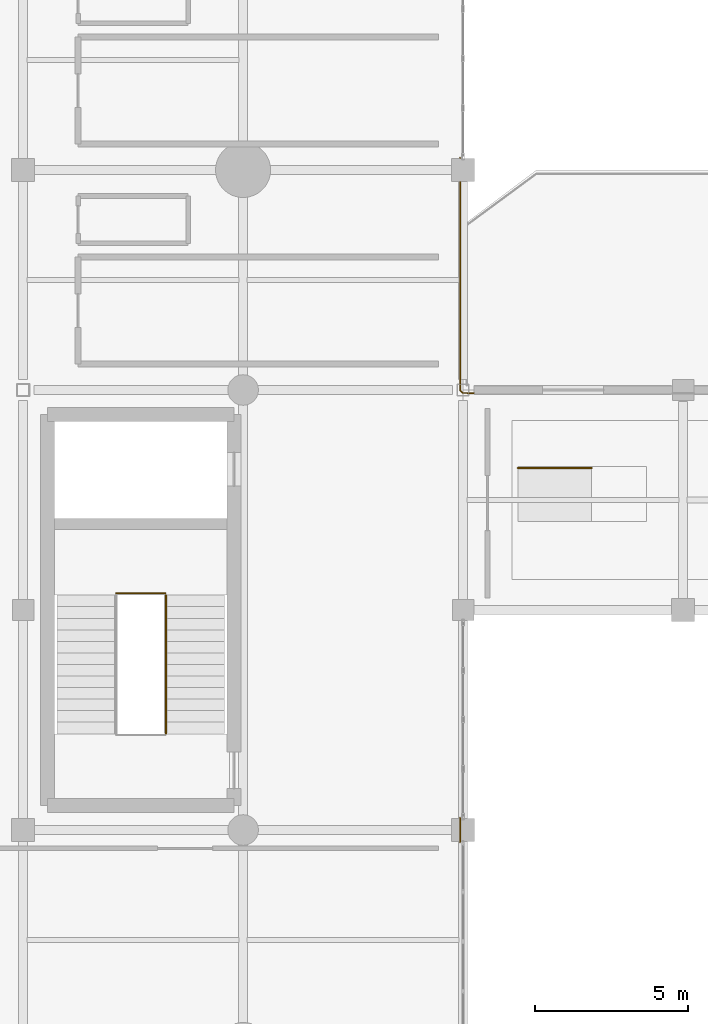
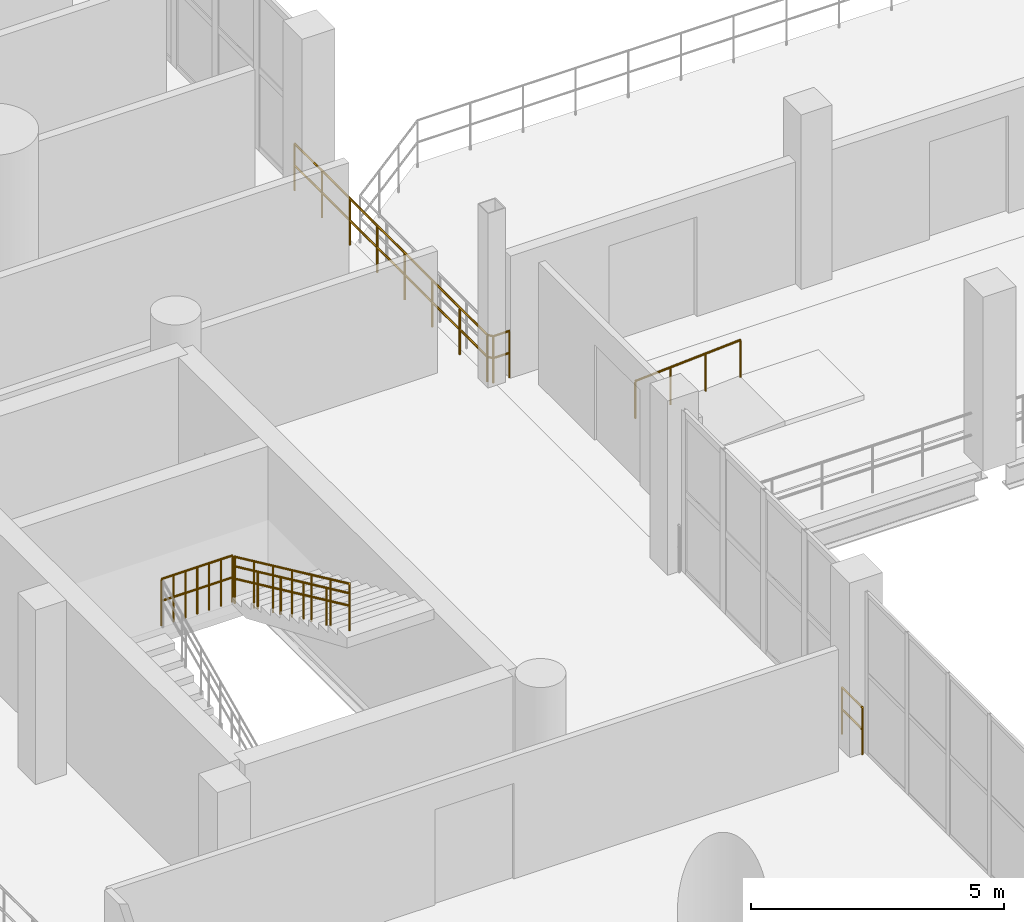
# One storey, part 121 of 130: 6 railings.
"""IFC4 building model written with IfcOpenShell, lengths in metres."""

from ifc_helpers import new_model, si_unit, direction, frame, origin, origin_2d, place, context, subcontext, project, spatial, circle, extrude, material, type_object, element, save


model = new_model("IFC4")

# Units and contexts
model_context = context("Model", 3, precision=1e-05, world=origin(), true_north=direction((0.0, 1.0)))
body_context = subcontext(model_context, "Body", "Model", "MODEL_VIEW")
ifc_project = project(units=[si_unit("LENGTHUNIT", "METRE"), si_unit("AREAUNIT", "SQUARE_METRE"), si_unit("VOLUMEUNIT", "CUBIC_METRE"), si_unit("PLANEANGLEUNIT", "RADIAN"), si_unit("MASSUNIT", "GRAM", prefix="KILO")], contexts=[model_context])

# Site, building, storey
site_placement = place(None, origin())
site = spatial("IfcSite", under=ifc_project, at=site_placement, CompositionType="ELEMENT")
building_placement = place(site_placement, origin())
building = spatial("IfcBuilding", under=site, at=building_placement, Name="Qandorah Velis Arena", CompositionType="ELEMENT")
storey_placement = place(building_placement, frame((0.0, 0.0, 9.60009765625)))
storey = spatial("IfcBuildingStorey", under=building, at=storey_placement, Name="L02", CompositionType="ELEMENT", Elevation=9.60009765625)

# Railings
ifc_material = material(Name="Stainless steel 316", Category="steel")
railing_type_1 = type_object("IfcRailingType", Name="ARC-RL-GRD1150", PredefinedType="GUARDRAIL", material=ifc_material)
railing_1_placement = place(storey_placement, frame((111.0400390625, 43.74609375, 2.099853515625)))
element("IfcRailing", 1, at=railing_1_placement, inside=storey, type_object=railing_type_1, Name="Stair ST11 well guardrail (L02)", PredefinedType="GUARDRAIL", context=body_context, shape_type="SweptSolid", body=[
    extrude(circle(Radius=0.02392578125, at=origin_2d()), frame((0.0, 0.0, 1.1259765625), z_axis=(1.0, 0.0, 0.0), x_axis=(0.0, 1.0, 0.0)), (0.0, 0.0, 1.0), 1.619873046875),
    extrude(circle(Radius=0.02392578125, at=origin_2d()), frame((0.0, 0.0, 0.597900390625), z_axis=(1.0, 0.0, 0.0), x_axis=(0.0, 1.0, 0.0)), (0.0, 0.0, 1.0), 1.619873046875),
    extrude(circle(Radius=0.02099609375, at=origin_2d()), origin(), (0.0, 0.0, 1.0), 1.101806640625),
    extrude(circle(Radius=0.02099609375, at=origin_2d()), frame((0.27001953125, 0.0, 0.0)), (0.0, 0.0, 1.0), 1.101806640625),
    extrude(circle(Radius=0.02099609375, at=origin_2d()), frame((0.5400390625, 0.0, 0.0)), (0.0, 0.0, 1.0), 1.101806640625),
    extrude(circle(Radius=0.02099609375, at=origin_2d()), frame((0.81005859375, 0.0, 0.0)), (0.0, 0.0, 1.0), 1.101806640625),
    extrude(circle(Radius=0.02099609375, at=origin_2d()), frame((1.079833984375, 0.0, 0.0)), (0.0, 0.0, 1.0), 1.101806640625),
    extrude(circle(Radius=0.02099609375, at=origin_2d()), frame((1.349853515625, 0.0, 0.0)), (0.0, 0.0, 1.0), 1.101806640625),
    extrude(circle(Radius=0.02099609375, at=origin_2d()), frame((1.619873046875, 0.0, 0.0)), (0.0, 0.0, 1.0), 1.101806640625),
])
railing_2_placement = place(storey_placement, frame((112.669921875, 43.68603515625, 2.099853515625)))
element("IfcRailing", 2, at=railing_2_placement, inside=storey, type_object=railing_type_1, Name="Stair ST11 inner flight 2 guardrail (L02)", PredefinedType="GUARDRAIL", context=body_context, shape_type="SweptSolid", body=[
    extrude(circle(Radius=0.02392578125, at=origin_2d()), frame((0.0, 0.0, 1.1259765625), z_axis=(0.0, -0.907464148506, 0.420129526666), x_axis=(1.0, 0.0, 0.0)), (0.0, 0.0, 1.0), 4.998779296875),
    extrude(circle(Radius=0.02392578125, at=origin_2d()), frame((0.0, 0.0, 0.597900390625), z_axis=(0.0, -0.907464148506, 0.420129526666), x_axis=(1.0, 0.0, 0.0)), (0.0, 0.0, 1.0), 4.998779296875),
    extrude(circle(Radius=0.02099609375, at=origin_2d()), origin(), (0.0, 0.0, 1.0), 1.101806640625),
    extrude(circle(Radius=0.02099609375, at=origin_2d()), frame((0.0, -0.756103515625, 0.35009765625)), (0.0, 0.0, 1.0), 1.101806640625),
    extrude(circle(Radius=0.02099609375, at=origin_2d()), frame((0.0, -1.511962890625, 0.699951171875)), (0.0, 0.0, 1.0), 1.101806640625),
    extrude(circle(Radius=0.02099609375, at=origin_2d()), frame((0.0, -2.26806640625, 1.050048828125)), (0.0, 0.0, 1.0), 1.101806640625),
    extrude(circle(Radius=0.02099609375, at=origin_2d()), frame((0.0, -3.024169921875, 1.400146484375)), (0.0, 0.0, 1.0), 1.101806640625),
    extrude(circle(Radius=0.02099609375, at=origin_2d()), frame((0.0, -3.780029296875, 1.75)), (0.0, 0.0, 1.0), 1.101806640625),
    extrude(circle(Radius=0.02099609375, at=origin_2d()), frame((0.0, -4.5361328125, 2.10009765625)), (0.0, 0.0, 1.0), 1.101806640625),
])
railing_3_placement = place(storey_placement, frame((122.300048828125, 58.0, 0.0)))
element("IfcRailing", 3, at=railing_3_placement, inside=storey, type_object=railing_type_1, Name="Slab edge safety guardrail L02-152", PredefinedType="GUARDRAIL", context=body_context, shape_type="SweptSolid", body=[
    extrude(circle(Radius=0.02392578125, at=origin_2d()), frame((0.0, 0.0, 1.1259765625), z_axis=(0.0, -1.0, 0.0), x_axis=(1.0, 0.0, 0.0)), (0.0, 0.0, 1.0), 7.60009765625),
    extrude(circle(Radius=0.02392578125, at=origin_2d()), frame((0.0, 0.0, 0.597900390625), z_axis=(0.0, -1.0, 0.0), x_axis=(1.0, 0.0, 0.0)), (0.0, 0.0, 1.0), 7.60009765625),
    extrude(circle(Radius=0.02392578125, at=origin_2d()), frame((0.0, -7.60009765625, 1.1259765625), z_axis=(0.635437237523, -0.77215252196, 0.0), x_axis=(0.77215252196, 0.635437237523, 0.0)), (0.0, 0.0, 1.0), 0.126708984375),
    extrude(circle(Radius=0.02392578125, at=origin_2d()), frame((0.0, -7.60009765625, 0.597900390625), z_axis=(0.635437237523, -0.77215252196, 0.0), x_axis=(0.77215252196, 0.635437237523, 0.0)), (0.0, 0.0, 1.0), 0.126708984375),
    extrude(circle(Radius=0.02392578125, at=origin_2d()), frame((0.08056640625, -7.697998046875, 1.1259765625), z_axis=(0.999986021421, -0.00528743435, 0.0), x_axis=(0.00528743435, 0.999986021421, 0.0)), (0.0, 0.0, 1.0), 0.369384765625),
    extrude(circle(Radius=0.02392578125, at=origin_2d()), frame((0.08056640625, -7.697998046875, 0.597900390625), z_axis=(0.999986021421, -0.00528743435, 0.0), x_axis=(0.00528743435, 0.999986021421, 0.0)), (0.0, 0.0, 1.0), 0.369384765625),
    extrude(circle(Radius=0.02099609375, at=origin_2d()), origin(), (0.0, 0.0, 1.0), 1.101806640625),
    extrude(circle(Radius=0.02099609375, at=origin_2d()), frame((0.0, -1.085693359375, 0.0)), (0.0, 0.0, 1.0), 1.101806640625),
    extrude(circle(Radius=0.02099609375, at=origin_2d()), frame((0.0, -2.17138671875, 0.0)), (0.0, 0.0, 1.0), 1.101806640625),
    extrude(circle(Radius=0.02099609375, at=origin_2d()), frame((0.0, -3.257080078125, 0.0)), (0.0, 0.0, 1.0), 1.101806640625),
    extrude(circle(Radius=0.02099609375, at=origin_2d()), frame((0.0, -4.343017578125, 0.0)), (0.0, 0.0, 1.0), 1.101806640625),
    extrude(circle(Radius=0.02099609375, at=origin_2d()), frame((0.0, -5.4287109375, 0.0)), (0.0, 0.0, 1.0), 1.101806640625),
    extrude(circle(Radius=0.02099609375, at=origin_2d()), frame((0.0, -6.514404296875, 0.0)), (0.0, 0.0, 1.0), 1.101806640625),
    extrude(circle(Radius=0.02099609375, at=origin_2d()), frame((0.0, -7.60009765625, 0.0)), (0.0, 0.0, 1.0), 1.101806640625),
    extrude(circle(Radius=0.02099609375, at=origin_2d()), frame((0.08056640625, -7.697998046875, 0.0)), (0.0, 0.0, 1.0), 1.101806640625),
    extrude(circle(Radius=0.02099609375, at=origin_2d()), frame((0.449951171875, -7.699951171875, 0.0)), (0.0, 0.0, 1.0), 1.101806640625),
])
railing_4_placement = place(storey_placement, frame((122.300048828125, 36.39990234375, 0.0)))
element("IfcRailing", 4, at=railing_4_placement, inside=storey, type_object=railing_type_1, Name="Slab edge safety guardrail L02-168", PredefinedType="GUARDRAIL", context=body_context, shape_type="SweptSolid", body=[
    extrude(circle(Radius=0.02392578125, at=origin_2d()), frame((0.0, 0.0, 1.1259765625), z_axis=(0.0, -1.0, 0.0), x_axis=(1.0, 0.0, 0.0)), (0.0, 0.0, 1.0), 0.7998046875),
    extrude(circle(Radius=0.02392578125, at=origin_2d()), frame((0.0, 0.0, 0.597900390625), z_axis=(0.0, -1.0, 0.0), x_axis=(1.0, 0.0, 0.0)), (0.0, 0.0, 1.0), 0.7998046875),
    extrude(circle(Radius=0.02099609375, at=origin_2d()), origin(), (0.0, 0.0, 1.0), 1.101806640625),
    extrude(circle(Radius=0.02099609375, at=origin_2d()), frame((0.0, -0.7998046875, 0.0)), (0.0, 0.0, 1.0), 1.101806640625),
])
railing_type_2 = type_object("IfcRailingType", Name="ARC-RL-HND920", PredefinedType="HANDRAIL", material=ifc_material)
railing_5_placement = place(storey_placement, frame((112.669921875, 43.68603515625, 2.099853515625)))
element("IfcRailing", 5, at=railing_5_placement, inside=storey, type_object=railing_type_2, Name="Stair ST11 inner handrail 2 (L02)", PredefinedType="HANDRAIL", context=body_context, shape_type="SweptSolid", body=[
    extrude(circle(Radius=0.02392578125, at=origin_2d()), frame((0.0, 0.0, 0.89599609375), z_axis=(0.0, -0.907464148506, 0.420129526666), x_axis=(1.0, 0.0, 0.0)), (0.0, 0.0, 1.0), 4.998779296875),
    extrude(circle(Radius=0.02099609375, at=origin_2d()), origin(), (0.0, 0.0, 1.0), 0.871826171875),
    extrude(circle(Radius=0.02099609375, at=origin_2d()), frame((0.0, -0.9072265625, 0.419921875)), (0.0, 0.0, 1.0), 0.871826171875),
    extrude(circle(Radius=0.02099609375, at=origin_2d()), frame((0.0, -1.814453125, 0.840087890625)), (0.0, 0.0, 1.0), 0.871826171875),
    extrude(circle(Radius=0.02099609375, at=origin_2d()), frame((0.0, -2.7216796875, 1.260009765625)), (0.0, 0.0, 1.0), 0.871826171875),
    extrude(circle(Radius=0.02099609375, at=origin_2d()), frame((0.0, -3.62890625, 1.68017578125)), (0.0, 0.0, 1.0), 0.871826171875),
    extrude(circle(Radius=0.02099609375, at=origin_2d()), frame((0.0, -4.5361328125, 2.10009765625)), (0.0, 0.0, 1.0), 0.871826171875),
])
railing_6_placement = place(storey_placement, frame((124.199951171875, 47.85009765625, 0.0)))
element("IfcRailing", 6, at=railing_6_placement, inside=storey, type_object=railing_type_2, Name="Ramp PR4 handrail", PredefinedType="HANDRAIL", context=body_context, shape_type="SweptSolid", body=[
    extrude(circle(Radius=0.02392578125, at=origin_2d()), frame((0.0, 0.0, 0.89599609375), z_axis=(0.998055342672, 0.0, 0.062334043373), x_axis=(0.0, 1.0, 0.0)), (0.0, 0.0, 1.0), 2.40478515625),
    extrude(circle(Radius=0.02099609375, at=origin_2d()), origin(), (0.0, 0.0, 1.0), 0.871826171875),
    extrude(circle(Radius=0.02099609375, at=origin_2d()), frame((0.800048828125, 0.0, 0.050048828125)), (0.0, 0.0, 1.0), 0.871826171875),
    extrude(circle(Radius=0.02099609375, at=origin_2d()), frame((1.60009765625, 0.0, 0.099853515625)), (0.0, 0.0, 1.0), 0.871826171875),
    extrude(circle(Radius=0.02099609375, at=origin_2d()), frame((2.400146484375, 0.0, 0.14990234375)), (0.0, 0.0, 1.0), 0.871826171875),
])

save(model, "model.ifc")
